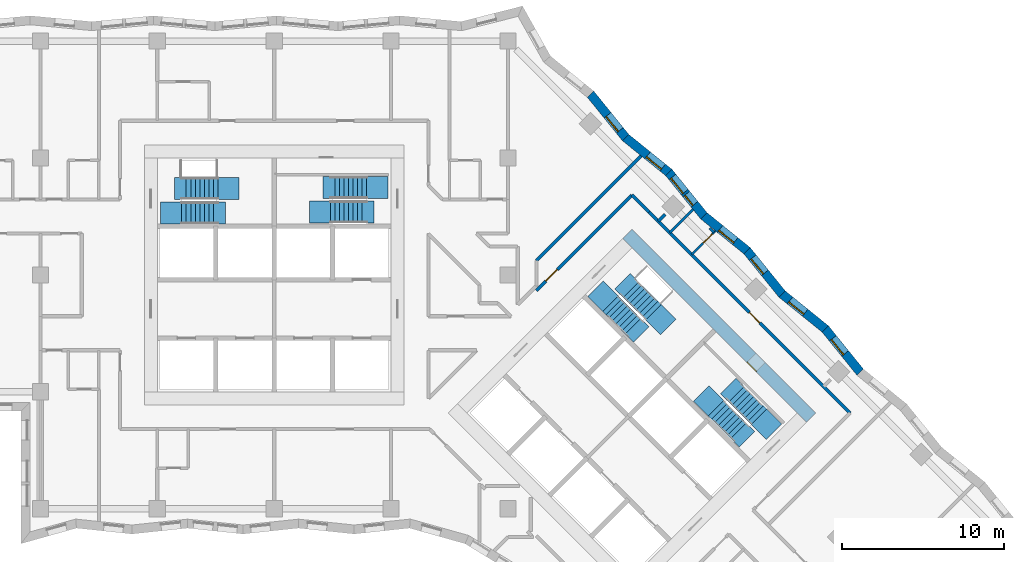
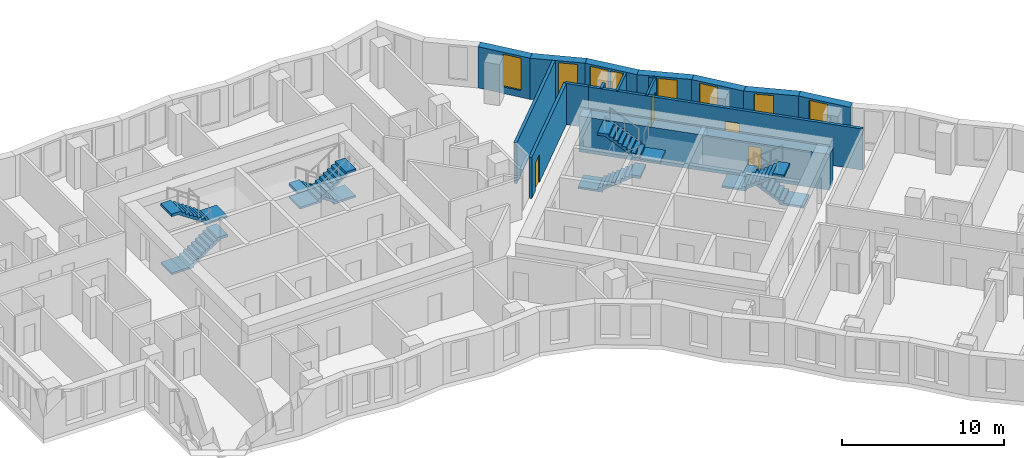
# One storey, part 10 of 12: 16 walls, 8 stair flights, 8 windows, 4 doors, 12 openings, 4 elements without a shape of their own.
"""IFC4 building model written with IfcOpenShell, lengths in metres."""

from ifc_helpers import new_model, si_unit, direction, frame, frame_2d, origin, place, context, subcontext, project, spatial, polyline, rectangle, outline, extrude, material, layer, layer_set, type_object, element, fill, aggregate, save


model = new_model("IFC4")

# Units and contexts
model_context = context("Model", 3, precision=1e-05, world=origin(), true_north=direction((0.0, 1.0)))
body_context = subcontext(model_context, "Body", "Model", "MODEL_VIEW")
ifc_project = project(units=[si_unit("LENGTHUNIT", "METRE"), si_unit("AREAUNIT", "SQUARE_METRE"), si_unit("VOLUMEUNIT", "CUBIC_METRE"), si_unit("PLANEANGLEUNIT", "RADIAN"), si_unit("MASSUNIT", "GRAM", prefix="KILO")], contexts=[model_context])

# Site, building, storey
site_placement = place(None, origin())
site = spatial("IfcSite", under=ifc_project, at=site_placement, CompositionType="ELEMENT")
building_placement = place(site_placement, origin())
building = spatial("IfcBuilding", under=site, at=building_placement, Name="Windrow Commons", CompositionType="ELEMENT")
storey_placement = place(building_placement, frame((0.0, 0.0, 88.0)))
storey = spatial("IfcBuildingStorey", under=building, at=storey_placement, Name="L23", CompositionType="ELEMENT", Elevation=88.0)

# Wall, opening, window
ifc_material_1 = material(Name="Brick masonry, red clay brick", Category="masonry")
ifc_layer_1 = layer(ifc_material_1, 0.55)
ifc_layer_set_1 = layer_set([ifc_layer_1], Name="Brick facade wall 550")
wall_type_1 = type_object("IfcWallType", Name="Brick facade wall 550", PredefinedType="SOLIDWALL", material=ifc_layer_set_1)
wall_1_placement = place(storey_placement, frame((100.9007, 51.6052, 0.0), z_axis=(0.0, 0.0, 1.0), x_axis=(-0.6286631845, 0.777677697, 0.0)))
wall_1 = element("IfcWall", 1, at=wall_1_placement, inside=storey, type_object=wall_type_1, Name="Brick facade wall L23 12", PredefinedType="SOLIDWALL", context=body_context, shape_type="SweptSolid", body=[
    extrude(outline(polyline([(0.0291, -0.275), (3.455, -0.275), (3.3967, 0.275), (-0.0291, 0.275), (0.0291, -0.275)])), origin(), (0.0, 0.0, 1.0), 3.1),
])
opening_1_placement = place(wall_1_placement, frame((1.4841, 0.0, 0.5)))
opening_1 = element("IfcOpeningElement", 2, at=opening_1_placement, cuts=wall_1, Name="Opening W7D", PredefinedType="OPENING", context=body_context, shape_type="SweptSolid", body=[
    extrude(rectangle(XDim=1.2, YDim=2.45, at=frame_2d((0.6, 1.225))), frame((0.0, 0.285, 0.0), z_axis=(0.0, -1.0, 0.0), x_axis=(1.0, 0.0, 0.0)), (0.0, 0.0, 1.0), 0.57),
])
ifc_material_2 = material(Name="Clear float glass in anodised aluminium frame", Category="aluminium")
window_type_1 = type_object("IfcWindowType", Name="Window W7 notch 1200x2450", PartitioningType="SINGLE_PANEL", PredefinedType="WINDOW", material=ifc_material_2)
window_1_placement = place(opening_1_placement, origin())
window_1 = element("IfcWindow", 3, at=window_1_placement, inside=storey, type_object=window_type_1, Name="Window L23 12.1", OverallHeight=2.45, OverallWidth=1.2, PartitioningType="SINGLE_PANEL", PredefinedType="WINDOW", context=body_context, shape_type="SweptSolid", body=[
    extrude(rectangle(XDim=1.2, YDim=2.45, at=frame_2d((0.6, 1.225))), frame((0.0, 0.155, 0.0), z_axis=(0.0, -1.0, 0.0), x_axis=(1.0, 0.0, 0.0)), (0.0, 0.0, 1.0), 0.06),
])
fill(opening_1, window_1)

wall_2_placement = place(storey_placement, frame((98.747, 54.2694, 0.0), z_axis=(0.0, 0.0, 1.0), x_axis=(-0.777677697, 0.6286631845, 0.0)))
wall_2 = element("IfcWall", 4, at=wall_2_placement, inside=storey, type_object=wall_type_1, Name="Brick facade wall L23 13", PredefinedType="SOLIDWALL", context=body_context, shape_type="SweptSolid", body=[
    extrude(outline(polyline([(-0.0291, -0.275), (3.3967, -0.275), (3.455, 0.275), (0.0291, 0.275), (-0.0291, -0.275)])), origin(), (0.0, 0.0, 1.0), 3.1),
])
opening_2_placement = place(wall_2_placement, frame((1.5958, 0.0, 0.5)))
opening_2 = element("IfcOpeningElement", 5, at=opening_2_placement, cuts=wall_2, Name="Opening W7D", PredefinedType="OPENING", context=body_context, shape_type="SweptSolid", body=[
    extrude(rectangle(XDim=1.2, YDim=2.45, at=frame_2d((0.6, 1.225))), frame((0.0, 0.285, 0.0), z_axis=(0.0, -1.0, 0.0), x_axis=(1.0, 0.0, 0.0)), (0.0, 0.0, 1.0), 0.57),
])
window_2_placement = place(opening_2_placement, origin())
window_2 = element("IfcWindow", 6, at=window_2_placement, inside=storey, type_object=window_type_1, Name="Window L23 13.1", OverallHeight=2.45, OverallWidth=1.2, PartitioningType="SINGLE_PANEL", PredefinedType="WINDOW", context=body_context, shape_type="SweptSolid", body=[
    extrude(rectangle(XDim=1.2, YDim=2.45, at=frame_2d((0.6, 1.225))), frame((0.0, 0.155, 0.0), z_axis=(0.0, -1.0, 0.0), x_axis=(1.0, 0.0, 0.0)), (0.0, 0.0, 1.0), 0.06),
])
fill(opening_2, window_2)

wall_3_placement = place(storey_placement, frame((96.0828, 56.4231, 0.0), z_axis=(0.0, 0.0, 1.0), x_axis=(-0.6286489138, 0.777689233, 0.0)))
wall_3 = element("IfcWall", 7, at=wall_3_placement, inside=storey, type_object=wall_type_1, Name="Brick facade wall L23 14", PredefinedType="SOLIDWALL", context=body_context, shape_type="SweptSolid", body=[
    extrude(outline(polyline([(0.0291, -0.275), (3.455, -0.275), (3.3967, 0.275), (-0.0291, 0.275), (0.0291, -0.275)])), origin(), (0.0, 0.0, 1.0), 3.1),
])
opening_3_placement = place(wall_3_placement, frame((1.6784, 0.0, 0.5)))
opening_3 = element("IfcOpeningElement", 8, at=opening_3_placement, cuts=wall_3, Name="Opening W7D", PredefinedType="OPENING", context=body_context, shape_type="SweptSolid", body=[
    extrude(rectangle(XDim=1.2, YDim=2.45, at=frame_2d((0.6, 1.225))), frame((0.0, 0.285, 0.0), z_axis=(0.0, -1.0, 0.0), x_axis=(1.0, 0.0, 0.0)), (0.0, 0.0, 1.0), 0.57),
])
window_3_placement = place(opening_3_placement, origin())
window_3 = element("IfcWindow", 9, at=window_3_placement, inside=storey, type_object=window_type_1, Name="Window L23 14.1", OverallHeight=2.45, OverallWidth=1.2, PartitioningType="SINGLE_PANEL", PredefinedType="WINDOW", context=body_context, shape_type="SweptSolid", body=[
    extrude(rectangle(XDim=1.2, YDim=2.45, at=frame_2d((0.6, 1.225))), frame((0.0, 0.155, 0.0), z_axis=(0.0, -1.0, 0.0), x_axis=(1.0, 0.0, 0.0)), (0.0, 0.0, 1.0), 0.06),
])
fill(opening_3, window_3)

wall_4_placement = place(storey_placement, frame((93.9291, 59.0874, 0.0), z_axis=(0.0, 0.0, 1.0), x_axis=(-0.777677697, 0.6286631845, 0.0)))
wall_4 = element("IfcWall", 10, at=wall_4_placement, inside=storey, type_object=wall_type_1, Name="Brick facade wall L23 15", PredefinedType="SOLIDWALL", context=body_context, shape_type="SweptSolid", body=[
    extrude(outline(polyline([(-0.0291, -0.275), (3.3967, -0.275), (3.455, 0.275), (0.0291, 0.275), (-0.0291, -0.275)])), origin(), (0.0, 0.0, 1.0), 3.1),
])
opening_4_placement = place(wall_4_placement, frame((0.9401, 0.0, 0.5)))
opening_4 = element("IfcOpeningElement", 11, at=opening_4_placement, cuts=wall_4, Name="Opening W7D", PredefinedType="OPENING", context=body_context, shape_type="SweptSolid", body=[
    extrude(rectangle(XDim=1.2, YDim=2.45, at=frame_2d((0.6, 1.225))), frame((0.0, 0.285, 0.0), z_axis=(0.0, -1.0, 0.0), x_axis=(1.0, 0.0, 0.0)), (0.0, 0.0, 1.0), 0.57),
])
window_4_placement = place(opening_4_placement, origin())
window_4 = element("IfcWindow", 12, at=window_4_placement, inside=storey, type_object=window_type_1, Name="Window L23 15.1", OverallHeight=2.45, OverallWidth=1.2, PartitioningType="SINGLE_PANEL", PredefinedType="WINDOW", context=body_context, shape_type="SweptSolid", body=[
    extrude(rectangle(XDim=1.2, YDim=2.45, at=frame_2d((0.6, 1.225))), frame((0.0, 0.155, 0.0), z_axis=(0.0, -1.0, 0.0), x_axis=(1.0, 0.0, 0.0)), (0.0, 0.0, 1.0), 0.06),
])
fill(opening_4, window_4)

# Wall, openings, windows
wall_5_placement = place(storey_placement, frame((91.2649, 61.2411, 0.0), z_axis=(0.0, 0.0, 1.0), x_axis=(-0.6286631845, 0.777677697, 0.0)))
wall_5 = element("IfcWall", 13, at=wall_5_placement, inside=storey, type_object=wall_type_1, Name="Brick facade wall L23 16", PredefinedType="SOLIDWALL", context=body_context, shape_type="SweptSolid", body=[
    extrude(outline(polyline([(0.0291, -0.275), (3.455, -0.275), (3.3967, 0.275), (-0.0291, 0.275), (0.0291, -0.275)])), origin(), (0.0, 0.0, 1.0), 3.1),
])
opening_5_placement = place(wall_5_placement, frame((1.8727, 0.0, 0.5)))
opening_5 = element("IfcOpeningElement", 14, at=opening_5_placement, cuts=wall_5, Name="Opening W7D", PredefinedType="OPENING", context=body_context, shape_type="SweptSolid", body=[
    extrude(rectangle(XDim=1.2, YDim=2.45, at=frame_2d((0.6, 1.225))), frame((0.0, 0.285, 0.0), z_axis=(0.0, -1.0, 0.0), x_axis=(1.0, 0.0, 0.0)), (0.0, 0.0, 1.0), 0.57),
])
opening_6_placement = place(wall_5_placement, frame((0.9183, 0.0, 0.45)))
opening_6 = element("IfcOpeningElement", 15, at=opening_6_placement, cuts=wall_5, Name="Opening W1N", PredefinedType="OPENING", context=body_context, shape_type="SweptSolid", body=[
    extrude(rectangle(XDim=0.8, YDim=2.5, at=frame_2d((0.4, 1.25))), frame((0.0, 0.285, 0.0), z_axis=(0.0, -1.0, 0.0), x_axis=(1.0, 0.0, 0.0)), (0.0, 0.0, 1.0), 0.57),
])
ifc_material_3 = material(Name="Clear float glass in anodised aluminium frame", Category="aluminium")
window_type_2 = type_object("IfcWindowType", Name="Window W1N slit 800x2500", PartitioningType="SINGLE_PANEL", PredefinedType="WINDOW", material=ifc_material_3)
window_5_placement = place(opening_6_placement, origin())
window_5 = element("IfcWindow", 16, at=window_5_placement, inside=storey, type_object=window_type_2, Name="Window L23 16.1A", OverallHeight=2.5, OverallWidth=0.8, PartitioningType="SINGLE_PANEL", PredefinedType="WINDOW", context=body_context, shape_type="SweptSolid", body=[
    extrude(rectangle(XDim=0.8, YDim=2.5, at=frame_2d((0.4, 1.25))), frame((0.0, 0.155, 0.0), z_axis=(0.0, -1.0, 0.0), x_axis=(1.0, 0.0, 0.0)), (0.0, 0.0, 1.0), 0.06),
])
fill(opening_6, window_5)
window_6_placement = place(opening_5_placement, origin())
window_6 = element("IfcWindow", 17, at=window_6_placement, inside=storey, type_object=window_type_1, Name="Window L23 16.2", OverallHeight=2.45, OverallWidth=1.2, PartitioningType="SINGLE_PANEL", PredefinedType="WINDOW", context=body_context, shape_type="SweptSolid", body=[
    extrude(rectangle(XDim=1.2, YDim=2.45, at=frame_2d((0.6, 1.225))), frame((0.0, 0.155, 0.0), z_axis=(0.0, -1.0, 0.0), x_axis=(1.0, 0.0, 0.0)), (0.0, 0.0, 1.0), 0.06),
])
fill(opening_5, window_6)

# Wall, opening, window
wall_6_placement = place(storey_placement, frame((89.1112, 63.9053, 0.0), z_axis=(0.0, 0.0, 1.0), x_axis=(-0.777677697, 0.6286631845, 0.0)))
wall_6 = element("IfcWall", 18, at=wall_6_placement, inside=storey, type_object=wall_type_1, Name="Brick facade wall L23 17", PredefinedType="SOLIDWALL", context=body_context, shape_type="SweptSolid", body=[
    extrude(outline(polyline([(-0.0291, -0.275), (3.3967, -0.275), (3.455, 0.275), (0.0291, 0.275), (-0.0291, -0.275)])), origin(), (0.0, 0.0, 1.0), 3.1),
])
opening_7_placement = place(wall_6_placement, frame((0.486, 0.0, 0.5)))
opening_7 = element("IfcOpeningElement", 19, at=opening_7_placement, cuts=wall_6, Name="Opening W7D", PredefinedType="OPENING", context=body_context, shape_type="SweptSolid", body=[
    extrude(rectangle(XDim=1.2, YDim=2.45, at=frame_2d((0.6, 1.225))), frame((0.0, 0.285, 0.0), z_axis=(0.0, -1.0, 0.0), x_axis=(1.0, 0.0, 0.0)), (0.0, 0.0, 1.0), 0.57),
])
window_7_placement = place(opening_7_placement, origin())
window_7 = element("IfcWindow", 20, at=window_7_placement, inside=storey, type_object=window_type_1, Name="Window L23 17.1", OverallHeight=2.45, OverallWidth=1.2, PartitioningType="SINGLE_PANEL", PredefinedType="WINDOW", context=body_context, shape_type="SweptSolid", body=[
    extrude(rectangle(XDim=1.2, YDim=2.45, at=frame_2d((0.6, 1.225))), frame((0.0, 0.155, 0.0), z_axis=(0.0, -1.0, 0.0), x_axis=(1.0, 0.0, 0.0)), (0.0, 0.0, 1.0), 0.06),
])
fill(opening_7, window_7)

wall_7_placement = place(storey_placement, frame((86.447, 66.059, 0.0), z_axis=(0.0, 0.0, 1.0), x_axis=(-0.6286489138, 0.777689233, 0.0)))
wall_7 = element("IfcWall", 21, at=wall_7_placement, inside=storey, type_object=wall_type_1, Name="Brick facade wall L23 18", PredefinedType="SOLIDWALL", context=body_context, shape_type="SweptSolid", body=[
    extrude(outline(polyline([(0.0291, -0.275), (3.455, -0.275), (3.3967, 0.275), (-0.0291, 0.275), (0.0291, -0.275)])), origin(), (0.0, 0.0, 1.0), 3.1),
])
opening_8_placement = place(wall_7_placement, frame((0.5686, 0.0, 0.5)))
opening_8 = element("IfcOpeningElement", 22, at=opening_8_placement, cuts=wall_7, Name="Opening W7D", PredefinedType="OPENING", context=body_context, shape_type="SweptSolid", body=[
    extrude(rectangle(XDim=1.2, YDim=2.45, at=frame_2d((0.6, 1.225))), frame((0.0, 0.285, 0.0), z_axis=(0.0, -1.0, 0.0), x_axis=(1.0, 0.0, 0.0)), (0.0, 0.0, 1.0), 0.57),
])
window_8_placement = place(opening_8_placement, origin())
window_8 = element("IfcWindow", 23, at=window_8_placement, inside=storey, type_object=window_type_1, Name="Window L23 18.1", OverallHeight=2.45, OverallWidth=1.2, PartitioningType="SINGLE_PANEL", PredefinedType="WINDOW", context=body_context, shape_type="SweptSolid", body=[
    extrude(rectangle(XDim=1.2, YDim=2.45, at=frame_2d((0.6, 1.225))), frame((0.0, 0.155, 0.0), z_axis=(0.0, -1.0, 0.0), x_axis=(1.0, 0.0, 0.0)), (0.0, 0.0, 1.0), 0.06),
])
fill(opening_8, window_8)

# Wall, opening, door
ifc_material_4 = material(Name="Blockwork partition", Category="masonry")
ifc_layer_2 = layer(ifc_material_4, 0.2)
ifc_layer_set_2 = layer_set([ifc_layer_2], Name="IW-CORRIDOR-200")
wall_type_2 = type_object("IfcWallType", Name="IW-CORRIDOR-200", PredefinedType="PARTITIONING", material=ifc_layer_set_2)
wall_8_placement = place(storey_placement, frame((87.8945, 61.4605, 0.0), z_axis=(0.0, 0.0, 1.0), x_axis=(0.7071067812, -0.7071067812, 0.0)))
wall_8 = element("IfcWall", 24, at=wall_8_placement, inside=storey, type_object=wall_type_2, Name="W-L23-W004", PredefinedType="PARTITIONING", context=body_context, shape_type="SweptSolid", body=[
    extrude(rectangle(XDim=17.4995, YDim=0.2, at=frame_2d((8.7498, 0.0))), origin(), (0.0, 0.0, 1.0), 3.1),
])
opening_9_placement = place(wall_8_placement, frame((8.7345, 0.0, 0.0)))
opening_9 = element("IfcOpeningElement", 25, at=opening_9_placement, cuts=wall_8, Name="Opening D109F", PredefinedType="OPENING", context=body_context, shape_type="SweptSolid", body=[
    extrude(rectangle(XDim=0.9, YDim=2.1, at=frame_2d((0.45, 1.05))), frame((0.0, 0.11, 0.0), z_axis=(0.0, -1.0, 0.0), x_axis=(1.0, 0.0, 0.0)), (0.0, 0.0, 1.0), 0.22),
])
ifc_material_5 = material(Name="Timber door leaf", Category="wood")
door_type_1 = type_object("IfcDoorType", Name="DT-BEDROOM-900", OperationType="SINGLE_SWING_LEFT", PredefinedType="DOOR", material=ifc_material_5)
door_1_placement = place(opening_9_placement, origin())
door_1 = element("IfcDoor", 26, at=door_1_placement, inside=storey, type_object=door_type_1, Name="D-L23-D039", OperationType="SINGLE_SWING_LEFT", OverallHeight=2.1, OverallWidth=0.9, PredefinedType="DOOR", context=body_context, shape_type="SweptSolid", body=[
    extrude(rectangle(XDim=0.9, YDim=2.1, at=frame_2d((0.45, 1.05))), frame((0.0, 0.025, 0.0), z_axis=(0.0, -1.0, 0.0), x_axis=(1.0, 0.0, 0.0)), (0.0, 0.0, 1.0), 0.05),
])
fill(opening_9, door_1)

wall_9_placement = place(storey_placement, frame((80.9512, 56.6408, 0.0), z_axis=(0.0, 0.0, 1.0), x_axis=(0.7071067812, 0.7071067812, 0.0)))
wall_9 = element("IfcWall", 27, at=wall_9_placement, inside=storey, type_object=wall_type_2, Name="W-L23-W011", PredefinedType="PARTITIONING", context=body_context, shape_type="SweptSolid", body=[
    extrude(rectangle(XDim=8.3212, YDim=0.2, at=frame_2d((4.1606, 0.0))), origin(), (0.0, 0.0, 1.0), 3.1),
])
opening_10_placement = place(wall_9_placement, frame((0.8162, 0.0, 0.0)))
opening_10 = element("IfcOpeningElement", 28, at=opening_10_placement, cuts=wall_9, Name="Opening D310F", PredefinedType="OPENING", context=body_context, shape_type="SweptSolid", body=[
    extrude(rectangle(XDim=1.0, YDim=2.1, at=frame_2d((0.5, 1.05))), frame((0.0, 0.11, 0.0), z_axis=(0.0, -1.0, 0.0), x_axis=(1.0, 0.0, 0.0)), (0.0, 0.0, 1.0), 0.22),
])
ifc_material_6 = material(Name="Timber door leaf", Category="wood")
door_type_2 = type_object("IfcDoorType", Name="DT-AMENITY-1000", OperationType="SINGLE_SWING_LEFT", PredefinedType="DOOR", material=ifc_material_6)
door_2_placement = place(opening_10_placement, origin())
door_2 = element("IfcDoor", 29, at=door_2_placement, inside=storey, type_object=door_type_2, Name="D-L23-D038", OperationType="SINGLE_SWING_RIGHT", OverallHeight=2.1, OverallWidth=1.0, PredefinedType="DOOR", context=body_context, shape_type="SweptSolid", body=[
    extrude(rectangle(XDim=1.0, YDim=2.1, at=frame_2d((0.5, 1.05))), frame((0.0, 0.025, 0.0), z_axis=(0.0, -1.0, 0.0), x_axis=(1.0, 0.0, 0.0)), (0.0, 0.0, 1.0), 0.05),
])
fill(opening_10, door_2)

# Wall
wall_10_placement = place(storey_placement, frame((86.838, 62.526, 0.0), z_axis=(0.0, 0.0, 1.0), x_axis=(0.70777292, -0.7064400143, 0.0)))
element("IfcWall", 30, at=wall_10_placement, inside=storey, type_object=wall_type_2, Name="W-L23-W146", PredefinedType="PARTITIONING", context=body_context, shape_type="SweptSolid", body=[
    extrude(rectangle(XDim=1.5005, YDim=0.2, at=frame_2d((0.7502, 0.0))), origin(), (0.0, 0.0, 1.0), 3.1),
])

# Wall, opening, door
ifc_material_7 = material(Name="Blockwork partition", Category="masonry")
ifc_layer_3 = layer(ifc_material_7, 0.15)
ifc_layer_set_3 = layer_set([ifc_layer_3], Name="IW-ENSUITE-150")
wall_type_3 = type_object("IfcWallType", Name="IW-ENSUITE-150", PredefinedType="PARTITIONING", material=ifc_layer_set_3)
wall_11_placement = place(storey_placement, frame((90.5131, 58.8489, 0.0), z_axis=(0.0, 0.0, 1.0), x_axis=(0.7071309413, 0.7070826202, 0.0)))
wall_11 = element("IfcWall", 31, at=wall_11_placement, inside=storey, type_object=wall_type_3, Name="W-L23-W118", PredefinedType="PARTITIONING", context=body_context, shape_type="SweptSolid", body=[
    extrude(rectangle(XDim=2.0695, YDim=0.15, at=frame_2d((1.0348, 0.0))), origin(), (0.0, 0.0, 1.0), 3.1),
])
opening_11_placement = place(wall_11_placement, frame((0.9956, 0.0, 0.0)))
opening_11 = element("IfcOpeningElement", 32, at=opening_11_placement, cuts=wall_11, Name="Opening D208N", PredefinedType="OPENING", context=body_context, shape_type="SweptSolid", body=[
    extrude(rectangle(XDim=0.8, YDim=2.1, at=frame_2d((0.4, 1.05))), frame((0.0, 0.085, 0.0), z_axis=(0.0, -1.0, 0.0), x_axis=(1.0, 0.0, 0.0)), (0.0, 0.0, 1.0), 0.17),
])
ifc_material_8 = material(Name="Timber door leaf", Category="wood")
door_type_3 = type_object("IfcDoorType", Name="DT-ENSUITE-800", OperationType="SINGLE_SWING_LEFT", PredefinedType="DOOR", material=ifc_material_8)
door_3_placement = place(opening_11_placement, origin())
door_3 = element("IfcDoor", 33, at=door_3_placement, inside=storey, type_object=door_type_3, Name="D-L23-D040", OperationType="SINGLE_SWING_RIGHT", OverallHeight=2.1, OverallWidth=0.8, PredefinedType="DOOR", context=body_context, shape_type="SweptSolid", body=[
    extrude(rectangle(XDim=0.8, YDim=2.1, at=frame_2d((0.4, 1.05))), frame((0.0, 0.025, 0.0), z_axis=(0.0, -1.0, 0.0), x_axis=(1.0, 0.0, 0.0)), (0.0, 0.0, 1.0), 0.05),
])
fill(opening_11, door_3)

# Walls
wall_12_placement = place(storey_placement, frame((89.1695, 60.1925, 0.0), z_axis=(0.0, 0.0, 1.0), x_axis=(0.7076498168, 0.7065633282, 0.0)))
element("IfcWall", 34, at=wall_12_placement, inside=storey, type_object=wall_type_3, Name="W-L23-W121", PredefinedType="PARTITIONING", context=body_context, shape_type="SweptSolid", body=[
    extrude(rectangle(XDim=2.0249, YDim=0.15, at=frame_2d((1.0125, 0.0))), origin(), (0.0, 0.0, 1.0), 3.1),
])
wall_13_placement = place(storey_placement, frame((91.6214, 60.4914, 0.0), z_axis=(0.0, 0.0, 1.0), x_axis=(0.7071067812, -0.7071067812, 0.0)))
element("IfcWall", 35, at=wall_13_placement, inside=storey, type_object=wall_type_3, Name="W-L23-W177", PredefinedType="PARTITIONING", context=body_context, shape_type="SweptSolid", body=[
    extrude(rectangle(XDim=0.379, YDim=0.15, at=frame_2d((0.1895, 0.0))), origin(), (0.0, 0.0, 1.0), 3.1),
])
ifc_material_9 = material(Name="Blockwork partition", Category="masonry")
ifc_layer_4 = layer(ifc_material_9, 0.2)
ifc_layer_set_4 = layer_set([ifc_layer_4], Name="IW-PARTY-200")
wall_type_4 = type_object("IfcWallType", Name="IW-PARTY-200", PredefinedType="PARTITIONING", material=ifc_layer_set_4)
wall_14_placement = place(storey_placement, frame((80.9489, 58.4771, 0.0), z_axis=(0.0, 0.0, 1.0), x_axis=(0.7071122585, 0.7071013038, 0.0)))
element("IfcWall", 36, at=wall_14_placement, inside=storey, type_object=wall_type_4, Name="W-L23-W007", PredefinedType="PARTITIONING", context=body_context, shape_type="SweptSolid", body=[
    extrude(rectangle(XDim=9.1285, YDim=0.2, at=frame_2d((4.5643, 0.0))), origin(), (0.0, 0.0, 1.0), 3.1),
])
wall_15_placement = place(storey_placement, frame((88.4611, 60.9009, 0.0), z_axis=(0.0, 0.0, 1.0), x_axis=(0.7054171665, 0.7087923682, 0.0)))
element("IfcWall", 37, at=wall_15_placement, inside=storey, type_object=wall_type_4, Name="W-L23-W159", PredefinedType="PARTITIONING", context=body_context, shape_type="SweptSolid", body=[
    extrude(rectangle(XDim=0.5926, YDim=0.2, at=frame_2d((0.2963, 0.0))), origin(), (0.0, 0.0, 1.0), 3.1),
])

# Wall, opening, door
ifc_material_10 = material(Name="Concrete C50/60", Category="concrete")
ifc_layer_5 = layer(ifc_material_10, 0.8)
ifc_layer_set_5 = layer_set([ifc_layer_5], Name="RC CORE WALL 800 C50/60")
wall_type_5 = type_object("IfcWallType", Name="RC CORE WALL 800 C50/60", PredefinedType="SHEAR", material=ifc_layer_set_5)
wall_16_placement = place(storey_placement, frame((86.5539, 60.1206, -0.3), z_axis=(0.0, 0.0, 1.0), x_axis=(0.7071067812, -0.7071067812, 0.0)))
wall_16 = element("IfcWall", 38, at=wall_16_placement, inside=storey, type_object=wall_type_5, Name="Core B wall outer-N", PredefinedType="SHEAR", context=body_context, shape_type="SweptSolid", body=[
    extrude(rectangle(XDim=16.0, YDim=0.8, at=frame_2d((8.0, 0.0))), origin(), (0.0, 0.0, 1.0), 2.7),
])
opening_12_placement = place(wall_16_placement, frame((10.8, 0.0, 0.3)))
opening_12 = element("IfcOpeningElement", 39, at=opening_12_placement, cuts=wall_16, Name="Opening D9", PredefinedType="OPENING", context=body_context, shape_type="SweptSolid", body=[
    extrude(rectangle(XDim=0.8, YDim=2.1, at=frame_2d((0.4, 1.05))), frame((0.0, 0.41, 0.0), z_axis=(0.0, -1.0, 0.0), x_axis=(1.0, 0.0, 0.0)), (0.0, 0.0, 1.0), 0.82),
])
ifc_material_11 = material(Name="Steel fire door leaf", Category="steel")
door_type_4 = type_object("IfcDoorType", Name="Riser access door 800", OperationType="SINGLE_SWING_LEFT", PredefinedType="DOOR", material=ifc_material_11)
door_4_placement = place(opening_12_placement, origin())
door_4 = element("IfcDoor", 40, at=door_4_placement, inside=storey, type_object=door_type_4, Name="Riser access door", OperationType="SINGLE_SWING_RIGHT", OverallHeight=2.1, OverallWidth=0.8, PredefinedType="DOOR", context=body_context, shape_type="SweptSolid", body=[
    extrude(rectangle(XDim=0.8, YDim=2.1, at=frame_2d((0.4, 1.05))), frame((0.0, -0.34, 0.0), z_axis=(0.0, -1.0, 0.0), x_axis=(1.0, 0.0, 0.0)), (0.0, 0.0, 1.0), 0.05),
])
fill(opening_12, door_4)

# Stair, stair flights
ifc_material_12 = material(Name="Concrete C40/50", Category="concrete")
stair_type = type_object("IfcStairType", Name="Core stair", PredefinedType="HALF_TURN_STAIR", material=ifc_material_12)
placement = place(storey_placement, origin())
stair_1 = element("IfcStair", 41, at=placement, inside=storey, type_object=stair_type, Name="L23 Exit stair A1 core A", PredefinedType="HALF_TURN_STAIR")
ifc_material_13 = material(Name="Concrete C40/50", Category="concrete")
stair_flight_type = type_object("IfcStairFlightType", Name="Core stair flight", PredefinedType="STRAIGHT", material=ifc_material_13)
stair_flight_1_placement = place(storey_placement, frame((59.1, 61.425, 0.0), z_axis=(0.0, 0.0, 1.0), x_axis=(1.0, 0.0, 0.0)))
stair_flight_1 = element("IfcStairFlight", 42, at=stair_flight_1_placement, type_object=stair_flight_type, Name="ST-A1 flight 1", NumberOfRisers=9, NumberOfTreads=8, PredefinedType="STRAIGHT", RiserHeight=0.188888889, TreadLength=0.28, context=body_context, shape_type="SweptSolid", body=[
    extrude(outline(polyline([(-1.3, -0.15), (-1.3, 0.0), (0.0, 0.0), (0.0, 0.1889), (0.28, 0.1889), (0.28, 0.3778), (0.56, 0.3778), (0.56, 0.5667), (0.84, 0.5667), (0.84, 0.7556), (1.12, 0.7556), (1.12, 0.9444), (1.4, 0.9444), (1.4, 1.1333), (1.68, 1.1333), (1.68, 1.3222), (1.96, 1.3222), (1.96, 1.5111), (2.24, 1.5111), (2.69, 1.5111), (2.69, 1.3111), (2.24, 1.3111), (2.24, 1.3302), (0.2682, 0.0), (0.2682, -0.15), (-1.3, -0.15)])), frame((0.0, 0.675, 0.0), z_axis=(0.0, -1.0, 0.0), x_axis=(1.0, 0.0, 0.0)), (0.0, 0.0, 1.0), 1.35),
])
stair_flight_2_placement = place(storey_placement, frame((61.34, 62.925, 1.7), z_axis=(0.0, 0.0, 1.0), x_axis=(-1.0, 0.0, 0.0)))
stair_flight_2 = element("IfcStairFlight", 43, at=stair_flight_2_placement, type_object=stair_flight_type, Name="ST-A1 flight 2", NumberOfRisers=9, NumberOfTreads=8, PredefinedType="STRAIGHT", RiserHeight=0.188888889, TreadLength=0.28, context=body_context, shape_type="SweptSolid", body=[
    extrude(outline(polyline([(-1.3, -0.15), (-1.3, 0.0), (0.0, 0.0), (0.0, 0.1889), (0.28, 0.1889), (0.28, 0.3778), (0.56, 0.3778), (0.56, 0.5667), (0.84, 0.5667), (0.84, 0.7556), (1.12, 0.7556), (1.12, 0.9444), (1.4, 0.9444), (1.4, 1.1333), (1.68, 1.1333), (1.68, 1.3222), (1.96, 1.3222), (1.96, 1.5111), (2.24, 1.5111), (2.69, 1.5111), (2.69, 1.3111), (2.24, 1.3111), (2.24, 1.3302), (0.2682, 0.0), (0.2682, -0.15), (-1.3, -0.15)])), frame((0.0, 0.675, 0.0), z_axis=(0.0, -1.0, 0.0), x_axis=(1.0, 0.0, 0.0)), (0.0, 0.0, 1.0), 1.35),
])
aggregate(stair_1, [stair_flight_1, stair_flight_2])

stair_2 = element("IfcStair", 44, at=placement, inside=storey, type_object=stair_type, Name="L23 Exit stair A2 core A", PredefinedType="HALF_TURN_STAIR")
stair_flight_3_placement = place(storey_placement, frame((70.5, 62.98, 0.0), z_axis=(0.0, 0.0, 1.0), x_axis=(-1.0, 0.0, 0.0)))
stair_flight_3 = element("IfcStairFlight", 45, at=stair_flight_3_placement, type_object=stair_flight_type, Name="ST-A2 flight 1", NumberOfRisers=9, NumberOfTreads=8, PredefinedType="STRAIGHT", RiserHeight=0.188888889, TreadLength=0.28, context=body_context, shape_type="SweptSolid", body=[
    extrude(outline(polyline([(-1.3, -0.15), (-1.3, 0.0), (0.0, 0.0), (0.0, 0.1889), (0.28, 0.1889), (0.28, 0.3778), (0.56, 0.3778), (0.56, 0.5667), (0.84, 0.5667), (0.84, 0.7556), (1.12, 0.7556), (1.12, 0.9444), (1.4, 0.9444), (1.4, 1.1333), (1.68, 1.1333), (1.68, 1.3222), (1.96, 1.3222), (1.96, 1.5111), (2.24, 1.5111), (2.69, 1.5111), (2.69, 1.3111), (2.24, 1.3111), (2.24, 1.3302), (0.2682, 0.0), (0.2682, -0.15), (-1.3, -0.15)])), frame((0.0, 0.675, 0.0), z_axis=(0.0, -1.0, 0.0), x_axis=(1.0, 0.0, 0.0)), (0.0, 0.0, 1.0), 1.35),
])
stair_flight_4_placement = place(storey_placement, frame((68.26, 61.48, 1.7), z_axis=(0.0, 0.0, 1.0), x_axis=(1.0, 0.0, 0.0)))
stair_flight_4 = element("IfcStairFlight", 46, at=stair_flight_4_placement, type_object=stair_flight_type, Name="ST-A2 flight 2", NumberOfRisers=9, NumberOfTreads=8, PredefinedType="STRAIGHT", RiserHeight=0.188888889, TreadLength=0.28, context=body_context, shape_type="SweptSolid", body=[
    extrude(outline(polyline([(-1.3, -0.15), (-1.3, 0.0), (0.0, 0.0), (0.0, 0.1889), (0.28, 0.1889), (0.28, 0.3778), (0.56, 0.3778), (0.56, 0.5667), (0.84, 0.5667), (0.84, 0.7556), (1.12, 0.7556), (1.12, 0.9444), (1.4, 0.9444), (1.4, 1.1333), (1.68, 1.1333), (1.68, 1.3222), (1.96, 1.3222), (1.96, 1.5111), (2.24, 1.5111), (2.69, 1.5111), (2.69, 1.3111), (2.24, 1.3111), (2.24, 1.3302), (0.2682, 0.0), (0.2682, -0.15), (-1.3, -0.15)])), frame((0.0, 0.675, 0.0), z_axis=(0.0, -1.0, 0.0), x_axis=(1.0, 0.0, 0.0)), (0.0, 0.0, 1.0), 1.35),
])
aggregate(stair_2, [stair_flight_3, stair_flight_4])

stair_3 = element("IfcStair", 47, at=placement, inside=storey, type_object=stair_type, Name="L23 Exit stair B1 core B", PredefinedType="HALF_TURN_STAIR")
stair_flight_5_placement = place(storey_placement, frame((85.5109, 55.8249, 0.0), z_axis=(0.0, 0.0, 1.0), x_axis=(0.7071067812, -0.7071067812, 0.0)))
stair_flight_5 = element("IfcStairFlight", 48, at=stair_flight_5_placement, type_object=stair_flight_type, Name="ST-B1 flight 1", NumberOfRisers=9, NumberOfTreads=8, PredefinedType="STRAIGHT", RiserHeight=0.188888889, TreadLength=0.28, context=body_context, shape_type="SweptSolid", body=[
    extrude(outline(polyline([(-1.3, -0.15), (-1.3, 0.0), (0.0, 0.0), (0.0, 0.1889), (0.28, 0.1889), (0.28, 0.3778), (0.56, 0.3778), (0.56, 0.5667), (0.84, 0.5667), (0.84, 0.7556), (1.12, 0.7556), (1.12, 0.9444), (1.4, 0.9444), (1.4, 1.1333), (1.68, 1.1333), (1.68, 1.3222), (1.96, 1.3222), (1.96, 1.5111), (2.24, 1.5111), (2.69, 1.5111), (2.69, 1.3111), (2.24, 1.3111), (2.24, 1.3302), (0.2682, 0.0), (0.2682, -0.15), (-1.3, -0.15)])), frame((0.0, 0.675, 0.0), z_axis=(0.0, -1.0, 0.0), x_axis=(1.0, 0.0, 0.0)), (0.0, 0.0, 1.0), 1.35),
])
stair_flight_6_placement = place(storey_placement, frame((88.1555, 55.3017, 1.7), z_axis=(0.0, 0.0, 1.0), x_axis=(-0.7071067812, 0.7071067812, 0.0)))
stair_flight_6 = element("IfcStairFlight", 49, at=stair_flight_6_placement, type_object=stair_flight_type, Name="ST-B1 flight 2", NumberOfRisers=9, NumberOfTreads=8, PredefinedType="STRAIGHT", RiserHeight=0.188888889, TreadLength=0.28, context=body_context, shape_type="SweptSolid", body=[
    extrude(outline(polyline([(-1.3, -0.15), (-1.3, 0.0), (0.0, 0.0), (0.0, 0.1889), (0.28, 0.1889), (0.28, 0.3778), (0.56, 0.3778), (0.56, 0.5667), (0.84, 0.5667), (0.84, 0.7556), (1.12, 0.7556), (1.12, 0.9444), (1.4, 0.9444), (1.4, 1.1333), (1.68, 1.1333), (1.68, 1.3222), (1.96, 1.3222), (1.96, 1.5111), (2.24, 1.5111), (2.69, 1.5111), (2.69, 1.3111), (2.24, 1.3111), (2.24, 1.3302), (0.2682, 0.0), (0.2682, -0.15), (-1.3, -0.15)])), frame((0.0, 0.675, 0.0), z_axis=(0.0, -1.0, 0.0), x_axis=(1.0, 0.0, 0.0)), (0.0, 0.0, 1.0), 1.35),
])
aggregate(stair_3, [stair_flight_5, stair_flight_6])

stair_4 = element("IfcStair", 50, at=placement, inside=storey, type_object=stair_type, Name="L23 Exit stair B2 core B", PredefinedType="HALF_TURN_STAIR")
stair_flight_7_placement = place(storey_placement, frame((94.6715, 48.8635, 0.0), z_axis=(0.0, 0.0, 1.0), x_axis=(-0.7071067812, 0.7071067812, 0.0)))
stair_flight_7 = element("IfcStairFlight", 51, at=stair_flight_7_placement, type_object=stair_flight_type, Name="ST-B2 flight 1", NumberOfRisers=9, NumberOfTreads=8, PredefinedType="STRAIGHT", RiserHeight=0.188888889, TreadLength=0.28, context=body_context, shape_type="SweptSolid", body=[
    extrude(outline(polyline([(-1.3, -0.15), (-1.3, 0.0), (0.0, 0.0), (0.0, 0.1889), (0.28, 0.1889), (0.28, 0.3778), (0.56, 0.3778), (0.56, 0.5667), (0.84, 0.5667), (0.84, 0.7556), (1.12, 0.7556), (1.12, 0.9444), (1.4, 0.9444), (1.4, 1.1333), (1.68, 1.1333), (1.68, 1.3222), (1.96, 1.3222), (1.96, 1.5111), (2.24, 1.5111), (2.69, 1.5111), (2.69, 1.3111), (2.24, 1.3111), (2.24, 1.3302), (0.2682, 0.0), (0.2682, -0.15), (-1.3, -0.15)])), frame((0.0, 0.675, 0.0), z_axis=(0.0, -1.0, 0.0), x_axis=(1.0, 0.0, 0.0)), (0.0, 0.0, 1.0), 1.35),
])
stair_flight_8_placement = place(storey_placement, frame((92.0269, 49.3867, 1.7), z_axis=(0.0, 0.0, 1.0), x_axis=(0.7071067812, -0.7071067812, 0.0)))
stair_flight_8 = element("IfcStairFlight", 52, at=stair_flight_8_placement, type_object=stair_flight_type, Name="ST-B2 flight 2", NumberOfRisers=9, NumberOfTreads=8, PredefinedType="STRAIGHT", RiserHeight=0.188888889, TreadLength=0.28, context=body_context, shape_type="SweptSolid", body=[
    extrude(outline(polyline([(-1.3, -0.15), (-1.3, 0.0), (0.0, 0.0), (0.0, 0.1889), (0.28, 0.1889), (0.28, 0.3778), (0.56, 0.3778), (0.56, 0.5667), (0.84, 0.5667), (0.84, 0.7556), (1.12, 0.7556), (1.12, 0.9444), (1.4, 0.9444), (1.4, 1.1333), (1.68, 1.1333), (1.68, 1.3222), (1.96, 1.3222), (1.96, 1.5111), (2.24, 1.5111), (2.69, 1.5111), (2.69, 1.3111), (2.24, 1.3111), (2.24, 1.3302), (0.2682, 0.0), (0.2682, -0.15), (-1.3, -0.15)])), frame((0.0, 0.675, 0.0), z_axis=(0.0, -1.0, 0.0), x_axis=(1.0, 0.0, 0.0)), (0.0, 0.0, 1.0), 1.35),
])
aggregate(stair_4, [stair_flight_7, stair_flight_8])

save(model, "model.ifc")
